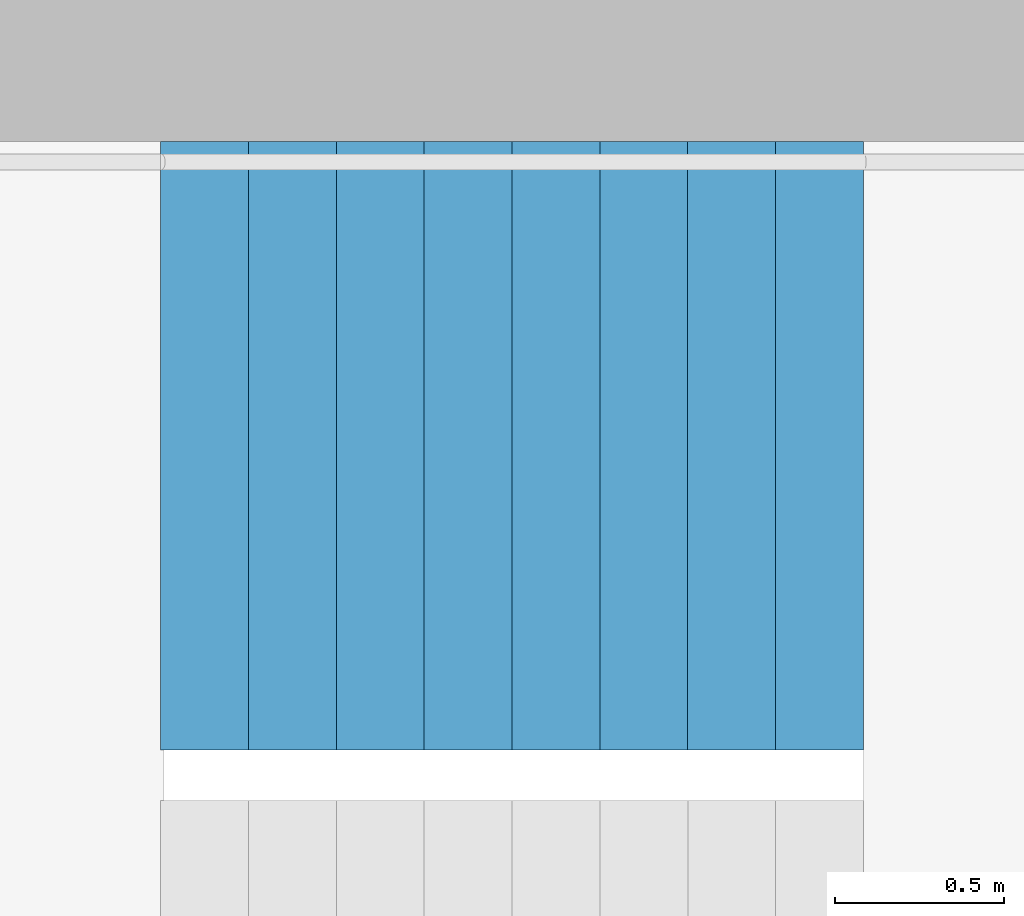
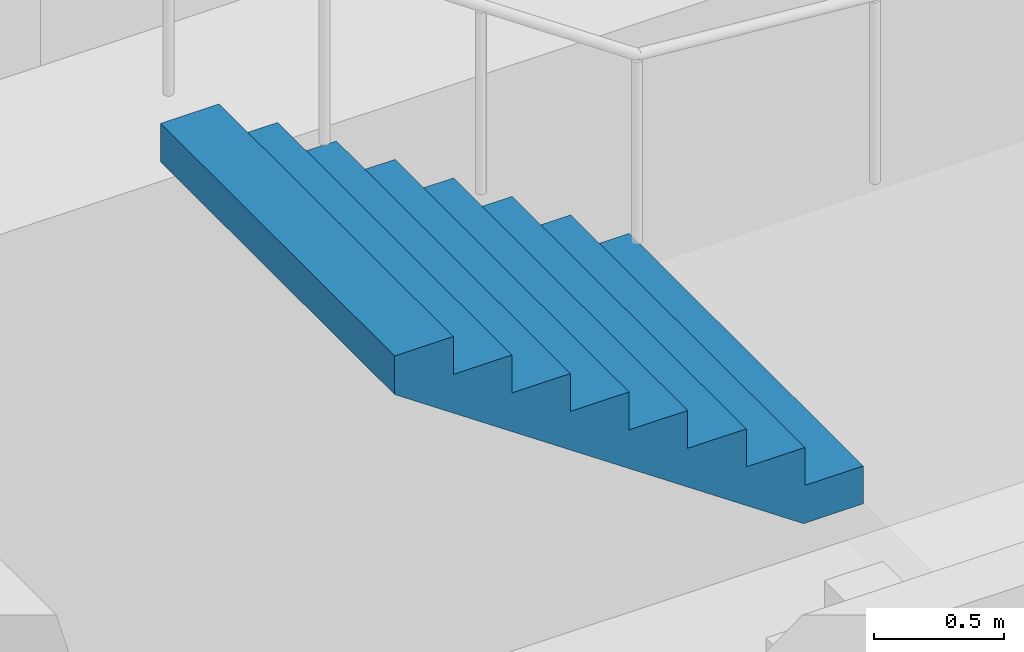
# One storey, part 21 of 26: 1 stair flight, 1 element without a shape of its own.
"""IFC4 building model written with IfcOpenShell, lengths in metres."""

from ifc_helpers import new_model, si_unit, direction, frame, origin, place, context, subcontext, project, spatial, triangles, material, type_object, element, aggregate, save


model = new_model("IFC4")

# Units and contexts
model_context = context("Model", 3, precision=1e-05, world=origin(), true_north=direction((0.0, 1.0)))
body_context = subcontext(model_context, "Body", "Model", "MODEL_VIEW")
ifc_project = project(units=[si_unit("LENGTHUNIT", "METRE"), si_unit("AREAUNIT", "SQUARE_METRE"), si_unit("VOLUMEUNIT", "CUBIC_METRE"), si_unit("PLANEANGLEUNIT", "RADIAN"), si_unit("MASSUNIT", "GRAM", prefix="KILO")], contexts=[model_context])

# Site, building, storey
site_placement = place(None, origin())
site = spatial("IfcSite", under=ifc_project, at=site_placement, CompositionType="ELEMENT")
building_placement = place(site_placement, origin())
building = spatial("IfcBuilding", under=site, at=building_placement, Name="Hakoniwa Tower and Hamabe Station Hall", CompositionType="ELEMENT")
storey_placement = place(building_placement, frame((0.0, 0.0, 131.0)))
storey = spatial("IfcBuildingStorey", under=building, at=storey_placement, Name="L36", CompositionType="ELEMENT", Elevation=131.0)

# Stair, stair flight
ifc_material_1 = material(Name="Concrete C40", Category="concrete")
stair_type = type_object("IfcStairType", Name="ESCAPE STAIR 1800", PredefinedType="HALF_TURN_STAIR", material=ifc_material_1)
stair_placement = place(storey_placement, origin())
stair = element("IfcStair", 1, at=stair_placement, inside=storey, type_object=stair_type, Name="Escape stair ST-1 L36", PredefinedType="HALF_TURN_STAIR")
ifc_material_2 = material(Name="Concrete C40", Category="concrete")
stair_flight_type = type_object("IfcStairFlightType", Name="STAIR FLIGHT 1800", PredefinedType="STRAIGHT", material=ifc_material_2)
stair_flight_placement = place(storey_placement, frame((-22.320068359375, 6.60009765625, 1.60009765625), z_axis=(0.0, 0.0, 1.0), x_axis=(-1.0, 0.0, 0.0)))
stair_flight = element("IfcStairFlight", 2, at=stair_flight_placement, type_object=stair_flight_type, Name="ST-1 flight 2", NumberOfRisers=9, NumberOfTreads=8, PredefinedType="STRAIGHT", RiserHeight=0.177777778, TreadLength=0.26, context=body_context, shape_type="Tessellation", body=[
    triangles([(0.0, 0.89990234375, 0.0), (0.260009765625, 0.89990234375, 0.0), (0.265625, 0.89990234375, 0.0), (0.52001953125, 0.89990234375, 0.174072265625), (0.780029296875, 0.89990234375, 0.351806640625), (1.0400390625, 0.89990234375, 0.529541015625), (1.300048828125, 0.89990234375, 0.707275390625), (1.56005859375, 0.89990234375, 0.885009765625), (1.820068359375, 0.89990234375, 1.062744140625), (2.080078125, 0.89990234375, 1.24072265625), (2.080078125, 0.89990234375, 1.422119140625), (1.820068359375, 0.89990234375, 1.422119140625), (1.820068359375, 0.89990234375, 1.244384765625), (1.56005859375, 0.89990234375, 1.244384765625), (1.56005859375, 0.89990234375, 1.066650390625), (1.300048828125, 0.89990234375, 1.066650390625), (1.300048828125, 0.89990234375, 0.888916015625), (1.0400390625, 0.89990234375, 0.888916015625), (1.0400390625, 0.89990234375, 0.711181640625), (0.780029296875, 0.89990234375, 0.711181640625), (0.780029296875, 0.89990234375, 0.533447265625), (0.52001953125, 0.89990234375, 0.533447265625), (0.52001953125, 0.89990234375, 0.35546875), (0.265625, 0.89990234375, 0.35546875), (0.260009765625, 0.89990234375, 0.35546875), (0.260009765625, 0.89990234375, 0.177734375), (0.0, 0.89990234375, 0.177734375), (0.0, 0.06005859375, 0.0), (0.260009765625, 0.06005859375, 0.0), (0.265625, 0.06005859375, 0.0), (0.52001953125, 0.06005859375, 0.174072265625), (0.780029296875, 0.06005859375, 0.351806640625), (1.0400390625, 0.06005859375, 0.529541015625), (1.300048828125, 0.06005859375, 0.707275390625), (1.56005859375, 0.06005859375, 0.885009765625), (1.820068359375, 0.06005859375, 1.062744140625), (2.080078125, 0.06005859375, 1.24072265625), (2.080078125, 0.06005859375, 1.422119140625), (1.820068359375, 0.06005859375, 1.422119140625), (1.820068359375, 0.06005859375, 1.244384765625), (1.56005859375, 0.06005859375, 1.244384765625), (1.56005859375, 0.06005859375, 1.066650390625), (1.300048828125, 0.06005859375, 1.066650390625), (1.300048828125, 0.06005859375, 0.888916015625), (1.0400390625, 0.06005859375, 0.888916015625), (1.0400390625, 0.06005859375, 0.711181640625), (0.780029296875, 0.06005859375, 0.711181640625), (0.780029296875, 0.06005859375, 0.533447265625), (0.52001953125, 0.06005859375, 0.533447265625), (0.52001953125, 0.06005859375, 0.35546875), (0.265625, 0.06005859375, 0.35546875), (0.260009765625, 0.06005859375, 0.35546875), (0.260009765625, 0.06005859375, 0.177734375), (0.0, 0.06005859375, 0.177734375), (0.0, 0.04296875, 0.0), (0.260009765625, 0.04296875, 0.0), (0.265625, 0.04296875, 0.0), (0.52001953125, 0.04296875, 0.174072265625), (0.780029296875, 0.04296875, 0.351806640625), (1.0400390625, 0.04296875, 0.529541015625), (1.300048828125, 0.04296875, 0.707275390625), (1.56005859375, 0.04296875, 0.885009765625), (1.820068359375, 0.04296875, 1.062744140625), (2.080078125, 0.04296875, 1.24072265625), (2.080078125, 0.04296875, 1.422119140625), (1.820068359375, 0.04296875, 1.422119140625), (1.820068359375, 0.04296875, 1.244384765625), (1.56005859375, 0.04296875, 1.244384765625), (1.56005859375, 0.04296875, 1.066650390625), (1.300048828125, 0.04296875, 1.066650390625), (1.300048828125, 0.04296875, 0.888916015625), (1.0400390625, 0.04296875, 0.888916015625), (1.0400390625, 0.04296875, 0.711181640625), (0.780029296875, 0.04296875, 0.711181640625), (0.780029296875, 0.04296875, 0.533447265625), (0.52001953125, 0.04296875, 0.533447265625), (0.52001953125, 0.04296875, 0.35546875), (0.265625, 0.04296875, 0.35546875), (0.260009765625, 0.04296875, 0.35546875), (0.260009765625, 0.04296875, 0.177734375), (0.0, 0.04296875, 0.177734375), (0.0, 0.025634765625, 0.0), (0.260009765625, 0.025634765625, 0.0), (0.265625, 0.025634765625, 0.0), (0.52001953125, 0.025634765625, 0.174072265625), (0.780029296875, 0.025634765625, 0.351806640625), (1.0400390625, 0.025634765625, 0.529541015625), (1.300048828125, 0.025634765625, 0.707275390625), (1.56005859375, 0.025634765625, 0.885009765625), (1.820068359375, 0.025634765625, 1.062744140625), (2.080078125, 0.025634765625, 1.24072265625), (2.080078125, 0.025634765625, 1.422119140625), (1.820068359375, 0.025634765625, 1.422119140625), (1.820068359375, 0.025634765625, 1.244384765625), (1.56005859375, 0.025634765625, 1.244384765625), (1.56005859375, 0.025634765625, 1.066650390625), (1.300048828125, 0.025634765625, 1.066650390625), (1.300048828125, 0.025634765625, 0.888916015625), (1.0400390625, 0.025634765625, 0.888916015625), (1.0400390625, 0.025634765625, 0.711181640625), (0.780029296875, 0.025634765625, 0.711181640625), (0.780029296875, 0.025634765625, 0.533447265625), (0.52001953125, 0.025634765625, 0.533447265625), (0.52001953125, 0.025634765625, 0.35546875), (0.265625, 0.025634765625, 0.35546875), (0.260009765625, 0.025634765625, 0.35546875), (0.260009765625, 0.025634765625, 0.177734375), (0.0, 0.025634765625, 0.177734375), (0.0, 0.008544921875, 0.0), (0.260009765625, 0.008544921875, 0.0), (0.265625, 0.008544921875, 0.0), (0.52001953125, 0.008544921875, 0.174072265625), (0.780029296875, 0.008544921875, 0.351806640625), (1.0400390625, 0.008544921875, 0.529541015625), (1.300048828125, 0.008544921875, 0.707275390625), (1.56005859375, 0.008544921875, 0.885009765625), (1.820068359375, 0.008544921875, 1.062744140625), (2.080078125, 0.008544921875, 1.24072265625), (2.080078125, 0.008544921875, 1.422119140625), (1.820068359375, 0.008544921875, 1.422119140625), (1.820068359375, 0.008544921875, 1.244384765625), (1.56005859375, 0.008544921875, 1.244384765625), (1.56005859375, 0.008544921875, 1.066650390625), (1.300048828125, 0.008544921875, 1.066650390625), (1.300048828125, 0.008544921875, 0.888916015625), (1.0400390625, 0.008544921875, 0.888916015625), (1.0400390625, 0.008544921875, 0.711181640625), (0.780029296875, 0.008544921875, 0.711181640625), (0.780029296875, 0.008544921875, 0.533447265625), (0.52001953125, 0.008544921875, 0.533447265625), (0.52001953125, 0.008544921875, 0.35546875), (0.265625, 0.008544921875, 0.35546875), (0.260009765625, 0.008544921875, 0.35546875), (0.260009765625, 0.008544921875, 0.177734375), (0.0, 0.008544921875, 0.177734375), (0.0, -0.008544921875, 0.0), (0.260009765625, -0.008544921875, 0.0), (0.265625, -0.008544921875, 0.0), (0.52001953125, -0.008544921875, 0.174072265625), (0.780029296875, -0.008544921875, 0.351806640625), (1.0400390625, -0.008544921875, 0.529541015625), (1.300048828125, -0.008544921875, 0.707275390625), (1.56005859375, -0.008544921875, 0.885009765625), (1.820068359375, -0.008544921875, 1.062744140625), (2.080078125, -0.008544921875, 1.24072265625), (2.080078125, -0.008544921875, 1.422119140625), (1.820068359375, -0.008544921875, 1.422119140625), (1.820068359375, -0.008544921875, 1.244384765625), (1.56005859375, -0.008544921875, 1.244384765625), (1.56005859375, -0.008544921875, 1.066650390625), (1.300048828125, -0.008544921875, 1.066650390625), (1.300048828125, -0.008544921875, 0.888916015625), (1.0400390625, -0.008544921875, 0.888916015625), (1.0400390625, -0.008544921875, 0.711181640625), (0.780029296875, -0.008544921875, 0.711181640625), (0.780029296875, -0.008544921875, 0.533447265625), (0.52001953125, -0.008544921875, 0.533447265625), (0.52001953125, -0.008544921875, 0.35546875), (0.265625, -0.008544921875, 0.35546875), (0.260009765625, -0.008544921875, 0.35546875), (0.260009765625, -0.008544921875, 0.177734375), (0.0, -0.008544921875, 0.177734375), (0.0, -0.025634765625, 0.0), (0.260009765625, -0.025634765625, 0.0), (0.265625, -0.025634765625, 0.0), (0.52001953125, -0.025634765625, 0.174072265625), (0.780029296875, -0.025634765625, 0.351806640625), (1.0400390625, -0.025634765625, 0.529541015625), (1.300048828125, -0.025634765625, 0.707275390625), (1.56005859375, -0.025634765625, 0.885009765625), (1.820068359375, -0.025634765625, 1.062744140625), (2.080078125, -0.025634765625, 1.24072265625), (2.080078125, -0.025634765625, 1.422119140625), (1.820068359375, -0.025634765625, 1.422119140625), (1.820068359375, -0.025634765625, 1.244384765625), (1.56005859375, -0.025634765625, 1.244384765625), (1.56005859375, -0.025634765625, 1.066650390625), (1.300048828125, -0.025634765625, 1.066650390625), (1.300048828125, -0.025634765625, 0.888916015625), (1.0400390625, -0.025634765625, 0.888916015625), (1.0400390625, -0.025634765625, 0.711181640625), (0.780029296875, -0.025634765625, 0.711181640625), (0.780029296875, -0.025634765625, 0.533447265625), (0.52001953125, -0.025634765625, 0.533447265625), (0.52001953125, -0.025634765625, 0.35546875), (0.265625, -0.025634765625, 0.35546875), (0.260009765625, -0.025634765625, 0.35546875), (0.260009765625, -0.025634765625, 0.177734375), (0.0, -0.025634765625, 0.177734375), (0.0, -0.04296875, 0.0), (0.260009765625, -0.04296875, 0.0), (0.265625, -0.04296875, 0.0), (0.52001953125, -0.04296875, 0.174072265625), (0.780029296875, -0.04296875, 0.351806640625), (1.0400390625, -0.04296875, 0.529541015625), (1.300048828125, -0.04296875, 0.707275390625), (1.56005859375, -0.04296875, 0.885009765625), (1.820068359375, -0.04296875, 1.062744140625), (2.080078125, -0.04296875, 1.24072265625), (2.080078125, -0.04296875, 1.422119140625), (1.820068359375, -0.04296875, 1.422119140625), (1.820068359375, -0.04296875, 1.244384765625), (1.56005859375, -0.04296875, 1.244384765625), (1.56005859375, -0.04296875, 1.066650390625), (1.300048828125, -0.04296875, 1.066650390625), (1.300048828125, -0.04296875, 0.888916015625), (1.0400390625, -0.04296875, 0.888916015625), (1.0400390625, -0.04296875, 0.711181640625), (0.780029296875, -0.04296875, 0.711181640625), (0.780029296875, -0.04296875, 0.533447265625), (0.52001953125, -0.04296875, 0.533447265625), (0.52001953125, -0.04296875, 0.35546875), (0.265625, -0.04296875, 0.35546875), (0.260009765625, -0.04296875, 0.35546875), (0.260009765625, -0.04296875, 0.177734375), (0.0, -0.04296875, 0.177734375), (0.0, -0.06005859375, 0.0), (0.260009765625, -0.06005859375, 0.0), (0.265625, -0.06005859375, 0.0), (0.52001953125, -0.06005859375, 0.174072265625), (0.780029296875, -0.06005859375, 0.351806640625), (1.0400390625, -0.06005859375, 0.529541015625), (1.300048828125, -0.06005859375, 0.707275390625), (1.56005859375, -0.06005859375, 0.885009765625), (1.820068359375, -0.06005859375, 1.062744140625), (2.080078125, -0.06005859375, 1.24072265625), (2.080078125, -0.06005859375, 1.422119140625), (1.820068359375, -0.06005859375, 1.422119140625), (1.820068359375, -0.06005859375, 1.244384765625), (1.56005859375, -0.06005859375, 1.244384765625), (1.56005859375, -0.06005859375, 1.066650390625), (1.300048828125, -0.06005859375, 1.066650390625), (1.300048828125, -0.06005859375, 0.888916015625), (1.0400390625, -0.06005859375, 0.888916015625), (1.0400390625, -0.06005859375, 0.711181640625), (0.780029296875, -0.06005859375, 0.711181640625), (0.780029296875, -0.06005859375, 0.533447265625), (0.52001953125, -0.06005859375, 0.533447265625), (0.52001953125, -0.06005859375, 0.35546875), (0.265625, -0.06005859375, 0.35546875), (0.260009765625, -0.06005859375, 0.35546875), (0.260009765625, -0.06005859375, 0.177734375), (0.0, -0.06005859375, 0.177734375), (0.0, -0.89990234375, 0.0), (0.260009765625, -0.89990234375, 0.0), (0.265625, -0.89990234375, 0.0), (0.52001953125, -0.89990234375, 0.174072265625), (0.780029296875, -0.89990234375, 0.351806640625), (1.0400390625, -0.89990234375, 0.529541015625), (1.300048828125, -0.89990234375, 0.707275390625), (1.56005859375, -0.89990234375, 0.885009765625), (1.820068359375, -0.89990234375, 1.062744140625), (2.080078125, -0.89990234375, 1.24072265625), (2.080078125, -0.89990234375, 1.422119140625), (1.820068359375, -0.89990234375, 1.422119140625), (1.820068359375, -0.89990234375, 1.244384765625), (1.56005859375, -0.89990234375, 1.244384765625), (1.56005859375, -0.89990234375, 1.066650390625), (1.300048828125, -0.89990234375, 1.066650390625), (1.300048828125, -0.89990234375, 0.888916015625), (1.0400390625, -0.89990234375, 0.888916015625), (1.0400390625, -0.89990234375, 0.711181640625), (0.780029296875, -0.89990234375, 0.711181640625), (0.780029296875, -0.89990234375, 0.533447265625), (0.52001953125, -0.89990234375, 0.533447265625), (0.52001953125, -0.89990234375, 0.35546875), (0.265625, -0.89990234375, 0.35546875), (0.260009765625, -0.89990234375, 0.35546875), (0.260009765625, -0.89990234375, 0.177734375), (0.0, -0.89990234375, 0.177734375)], [[2, 27, 26], [245, 269, 270], [2, 1, 27], [245, 270, 244], [3, 25, 24], [246, 267, 268], [3, 26, 25], [246, 268, 269], [3, 2, 26], [246, 269, 245], [4, 24, 23], [247, 266, 267], [4, 3, 24], [247, 267, 246], [5, 22, 21], [248, 264, 265], [5, 23, 22], [248, 265, 266], [5, 4, 23], [248, 266, 247], [6, 20, 19], [249, 262, 263], [6, 21, 20], [249, 263, 264], [6, 5, 21], [249, 264, 248], [7, 18, 17], [250, 260, 261], [7, 19, 18], [250, 261, 262], [7, 6, 19], [250, 262, 249], [8, 16, 15], [251, 258, 259], [8, 17, 16], [251, 259, 260], [8, 7, 17], [251, 260, 250], [9, 14, 13], [252, 256, 257], [9, 15, 14], [252, 257, 258], [9, 8, 15], [252, 258, 251], [10, 12, 11], [253, 254, 255], [10, 13, 12], [253, 255, 256], [10, 9, 13], [253, 256, 252], [1, 2, 29], [1, 29, 28], [28, 29, 56], [28, 56, 55], [55, 56, 83], [55, 83, 82], [82, 83, 110], [82, 110, 109], [109, 110, 137], [109, 137, 136], [136, 137, 164], [136, 164, 163], [163, 164, 191], [163, 191, 190], [190, 191, 218], [190, 218, 217], [217, 218, 245], [217, 245, 244], [2, 3, 30], [2, 30, 29], [29, 30, 57], [29, 57, 56], [56, 57, 84], [56, 84, 83], [83, 84, 111], [83, 111, 110], [110, 111, 138], [110, 138, 137], [137, 138, 165], [137, 165, 164], [164, 165, 192], [164, 192, 191], [191, 192, 219], [191, 219, 218], [218, 219, 246], [218, 246, 245], [3, 4, 31], [3, 31, 30], [30, 31, 58], [30, 58, 57], [57, 58, 85], [57, 85, 84], [84, 85, 112], [84, 112, 111], [111, 112, 139], [111, 139, 138], [138, 139, 166], [138, 166, 165], [165, 166, 193], [165, 193, 192], [192, 193, 220], [192, 220, 219], [219, 220, 247], [219, 247, 246], [4, 5, 32], [4, 32, 31], [31, 32, 59], [31, 59, 58], [58, 59, 86], [58, 86, 85], [85, 86, 113], [85, 113, 112], [112, 113, 140], [112, 140, 139], [139, 140, 167], [139, 167, 166], [166, 167, 194], [166, 194, 193], [193, 194, 221], [193, 221, 220], [220, 221, 248], [220, 248, 247], [5, 6, 33], [5, 33, 32], [32, 33, 60], [32, 60, 59], [59, 60, 87], [59, 87, 86], [86, 87, 114], [86, 114, 113], [113, 114, 141], [113, 141, 140], [140, 141, 168], [140, 168, 167], [167, 168, 195], [167, 195, 194], [194, 195, 222], [194, 222, 221], [221, 222, 249], [221, 249, 248], [6, 7, 34], [6, 34, 33], [33, 34, 61], [33, 61, 60], [60, 61, 88], [60, 88, 87], [87, 88, 115], [87, 115, 114], [114, 115, 142], [114, 142, 141], [141, 142, 169], [141, 169, 168], [168, 169, 196], [168, 196, 195], [195, 196, 223], [195, 223, 222], [222, 223, 250], [222, 250, 249], [7, 8, 35], [7, 35, 34], [34, 35, 62], [34, 62, 61], [61, 62, 89], [61, 89, 88], [88, 89, 116], [88, 116, 115], [115, 116, 143], [115, 143, 142], [142, 143, 170], [142, 170, 169], [169, 170, 197], [169, 197, 196], [196, 197, 224], [196, 224, 223], [223, 224, 251], [223, 251, 250], [8, 9, 36], [8, 36, 35], [35, 36, 63], [35, 63, 62], [62, 63, 90], [62, 90, 89], [89, 90, 117], [89, 117, 116], [116, 117, 144], [116, 144, 143], [143, 144, 171], [143, 171, 170], [170, 171, 198], [170, 198, 197], [197, 198, 225], [197, 225, 224], [224, 225, 252], [224, 252, 251], [9, 10, 37], [9, 37, 36], [36, 37, 64], [36, 64, 63], [63, 64, 91], [63, 91, 90], [90, 91, 118], [90, 118, 117], [117, 118, 145], [117, 145, 144], [144, 145, 172], [144, 172, 171], [171, 172, 199], [171, 199, 198], [198, 199, 226], [198, 226, 225], [225, 226, 253], [225, 253, 252], [10, 11, 38], [10, 38, 37], [37, 38, 65], [37, 65, 64], [64, 65, 92], [64, 92, 91], [91, 92, 119], [91, 119, 118], [118, 119, 146], [118, 146, 145], [145, 146, 173], [145, 173, 172], [172, 173, 200], [172, 200, 199], [199, 200, 227], [199, 227, 226], [226, 227, 254], [226, 254, 253], [11, 12, 39], [11, 39, 38], [38, 39, 66], [38, 66, 65], [65, 66, 93], [65, 93, 92], [92, 93, 120], [92, 120, 119], [119, 120, 147], [119, 147, 146], [146, 147, 174], [146, 174, 173], [173, 174, 201], [173, 201, 200], [200, 201, 228], [200, 228, 227], [227, 228, 255], [227, 255, 254], [12, 13, 40], [12, 40, 39], [39, 40, 67], [39, 67, 66], [66, 67, 94], [66, 94, 93], [93, 94, 121], [93, 121, 120], [120, 121, 148], [120, 148, 147], [147, 148, 175], [147, 175, 174], [174, 175, 202], [174, 202, 201], [201, 202, 229], [201, 229, 228], [228, 229, 256], [228, 256, 255], [13, 14, 41], [13, 41, 40], [40, 41, 68], [40, 68, 67], [67, 68, 95], [67, 95, 94], [94, 95, 122], [94, 122, 121], [121, 122, 149], [121, 149, 148], [148, 149, 176], [148, 176, 175], [175, 176, 203], [175, 203, 202], [202, 203, 230], [202, 230, 229], [229, 230, 257], [229, 257, 256], [14, 15, 42], [14, 42, 41], [41, 42, 69], [41, 69, 68], [68, 69, 96], [68, 96, 95], [95, 96, 123], [95, 123, 122], [122, 123, 150], [122, 150, 149], [149, 150, 177], [149, 177, 176], [176, 177, 204], [176, 204, 203], [203, 204, 231], [203, 231, 230], [230, 231, 258], [230, 258, 257], [15, 16, 43], [15, 43, 42], [42, 43, 70], [42, 70, 69], [69, 70, 97], [69, 97, 96], [96, 97, 124], [96, 124, 123], [123, 124, 151], [123, 151, 150], [150, 151, 178], [150, 178, 177], [177, 178, 205], [177, 205, 204], [204, 205, 232], [204, 232, 231], [231, 232, 259], [231, 259, 258], [16, 17, 44], [16, 44, 43], [43, 44, 71], [43, 71, 70], [70, 71, 98], [70, 98, 97], [97, 98, 125], [97, 125, 124], [124, 125, 152], [124, 152, 151], [151, 152, 179], [151, 179, 178], [178, 179, 206], [178, 206, 205], [205, 206, 233], [205, 233, 232], [232, 233, 260], [232, 260, 259], [17, 18, 45], [17, 45, 44], [44, 45, 72], [44, 72, 71], [71, 72, 99], [71, 99, 98], [98, 99, 126], [98, 126, 125], [125, 126, 153], [125, 153, 152], [152, 153, 180], [152, 180, 179], [179, 180, 207], [179, 207, 206], [206, 207, 234], [206, 234, 233], [233, 234, 261], [233, 261, 260], [18, 19, 46], [18, 46, 45], [45, 46, 73], [45, 73, 72], [72, 73, 100], [72, 100, 99], [99, 100, 127], [99, 127, 126], [126, 127, 154], [126, 154, 153], [153, 154, 181], [153, 181, 180], [180, 181, 208], [180, 208, 207], [207, 208, 235], [207, 235, 234], [234, 235, 262], [234, 262, 261], [19, 20, 47], [19, 47, 46], [46, 47, 74], [46, 74, 73], [73, 74, 101], [73, 101, 100], [100, 101, 128], [100, 128, 127], [127, 128, 155], [127, 155, 154], [154, 155, 182], [154, 182, 181], [181, 182, 209], [181, 209, 208], [208, 209, 236], [208, 236, 235], [235, 236, 263], [235, 263, 262], [20, 21, 48], [20, 48, 47], [47, 48, 75], [47, 75, 74], [74, 75, 102], [74, 102, 101], [101, 102, 129], [101, 129, 128], [128, 129, 156], [128, 156, 155], [155, 156, 183], [155, 183, 182], [182, 183, 210], [182, 210, 209], [209, 210, 237], [209, 237, 236], [236, 237, 264], [236, 264, 263], [21, 22, 49], [21, 49, 48], [48, 49, 76], [48, 76, 75], [75, 76, 103], [75, 103, 102], [102, 103, 130], [102, 130, 129], [129, 130, 157], [129, 157, 156], [156, 157, 184], [156, 184, 183], [183, 184, 211], [183, 211, 210], [210, 211, 238], [210, 238, 237], [237, 238, 265], [237, 265, 264], [22, 23, 50], [22, 50, 49], [49, 50, 77], [49, 77, 76], [76, 77, 104], [76, 104, 103], [103, 104, 131], [103, 131, 130], [130, 131, 158], [130, 158, 157], [157, 158, 185], [157, 185, 184], [184, 185, 212], [184, 212, 211], [211, 212, 239], [211, 239, 238], [238, 239, 266], [238, 266, 265], [23, 24, 51], [23, 51, 50], [50, 51, 78], [50, 78, 77], [77, 78, 105], [77, 105, 104], [104, 105, 132], [104, 132, 131], [131, 132, 159], [131, 159, 158], [158, 159, 186], [158, 186, 185], [185, 186, 213], [185, 213, 212], [212, 213, 240], [212, 240, 239], [239, 240, 267], [239, 267, 266], [24, 25, 52], [24, 52, 51], [51, 52, 79], [51, 79, 78], [78, 79, 106], [78, 106, 105], [105, 106, 133], [105, 133, 132], [132, 133, 160], [132, 160, 159], [159, 160, 187], [159, 187, 186], [186, 187, 214], [186, 214, 213], [213, 214, 241], [213, 241, 240], [240, 241, 268], [240, 268, 267], [25, 26, 53], [25, 53, 52], [52, 53, 80], [52, 80, 79], [79, 80, 107], [79, 107, 106], [106, 107, 134], [106, 134, 133], [133, 134, 161], [133, 161, 160], [160, 161, 188], [160, 188, 187], [187, 188, 215], [187, 215, 214], [214, 215, 242], [214, 242, 241], [241, 242, 269], [241, 269, 268], [26, 27, 54], [26, 54, 53], [53, 54, 81], [53, 81, 80], [80, 81, 108], [80, 108, 107], [107, 108, 135], [107, 135, 134], [134, 135, 162], [134, 162, 161], [161, 162, 189], [161, 189, 188], [188, 189, 216], [188, 216, 215], [215, 216, 243], [215, 243, 242], [242, 243, 270], [242, 270, 269], [27, 1, 28], [27, 28, 54], [54, 28, 55], [54, 55, 81], [81, 55, 82], [81, 82, 108], [108, 82, 109], [108, 109, 135], [135, 109, 136], [135, 136, 162], [162, 136, 163], [162, 163, 189], [189, 163, 190], [189, 190, 216], [216, 190, 217], [216, 217, 243], [243, 217, 244], [243, 244, 270]], closed=True),
])
aggregate(stair, [stair_flight])

save(model, "model.ifc")
